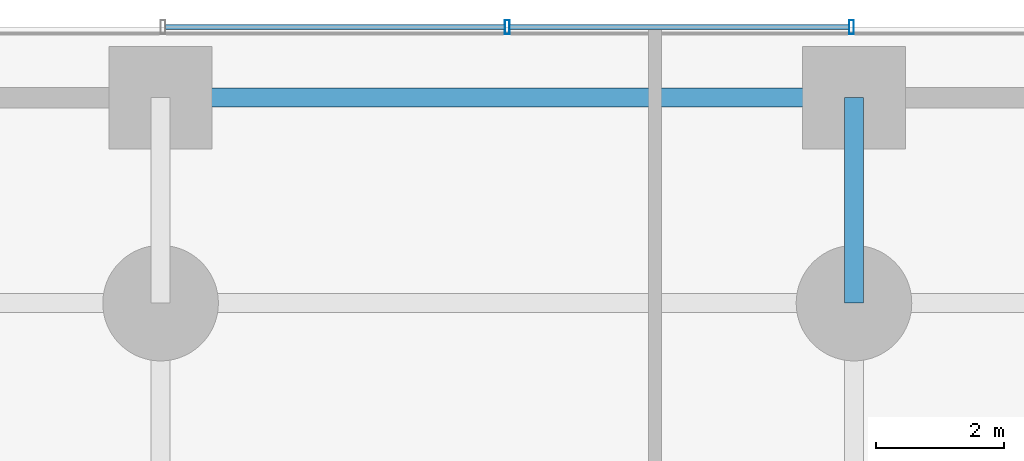
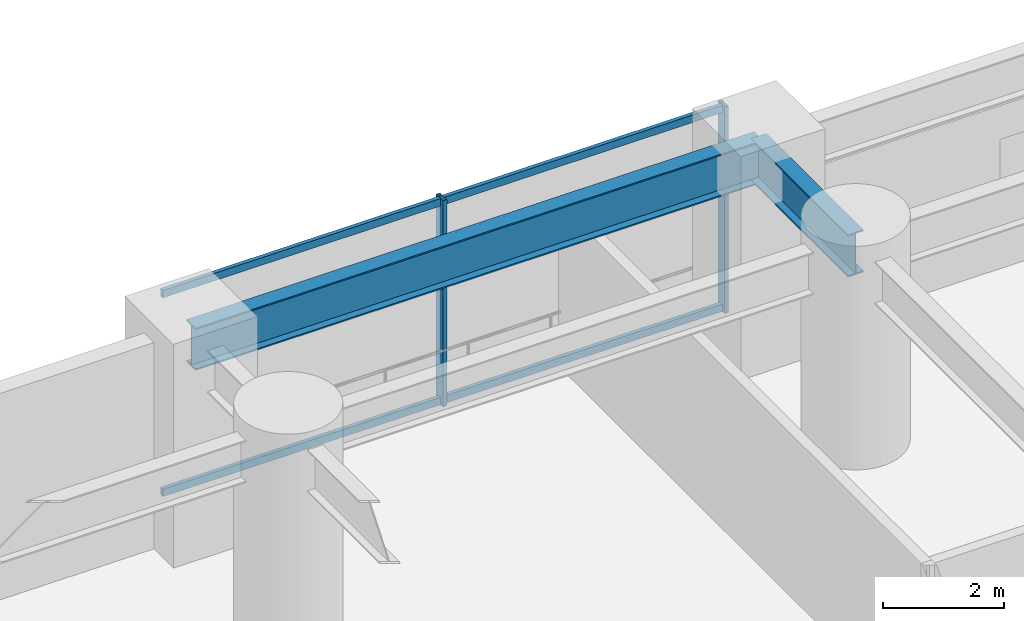
# One storey, part 15 of 35: 6 members, 2 beams, 1 element without a shape of its own.
"""IFC4 building model written with IfcOpenShell, lengths in metres."""

import ifcopenshell
import ifcopenshell.guid

model = None  # the IFC model being written
_history = None  # IfcOwnerHistory: only IFC2X3 demands one
_inside = {}  # id of a spatial element -> (the spatial element, [elements in it])
_under = {}  # id of a project, library or spatial element -> (it, [spatial elements below it])
_declared = {}  # id of a project -> (the project, [libraries it declares])
_typed = {}  # id of a type object -> (the type object, [elements of that type])
_made_of = {}  # id of a material, layer set ... -> (it, [elements and type objects made of it])


def new_model(schema):
    """Start an empty IFC model of exactly this schema.

    Asked for "IFC4X3", IfcOpenShell would pick the latest addendum, in which some entities
    have other attributes; the version numbers below select the first issue.
    IFC2X3 requires an IfcOwnerHistory on every rooted entity: one is made here for all.
    """
    global model, _history
    if schema == "IFC4X3":
        model = ifcopenshell.file(schema_version=(4, 3, 0, 0))
    else:
        model = ifcopenshell.file(schema=schema)
    _inside.clear()
    _under.clear()
    _declared.clear()
    _typed.clear()
    _made_of.clear()
    _history = None
    if model.schema == "IFC2X3":
        org = make("IfcOrganization", Name="unknown")
        user = make(
            "IfcPersonAndOrganization",
            ThePerson=make("IfcPerson", FamilyName="unknown"),
            TheOrganization=org,
        )
        app = make(
            "IfcApplication",
            ApplicationDeveloper=org,
            Version="unknown",
            ApplicationFullName="unknown",
            ApplicationIdentifier="unknown",
        )
        _history = make(
            "IfcOwnerHistory",
            OwningUser=user,
            OwningApplication=app,
            ChangeAction="ADDED",
            CreationDate=0,
        )
    return model


def make(cls, **values):
    """One entity of the class cls with the attributes given. An attribute that is None is left unset."""
    return model.create_entity(
        cls, **{name: value for name, value in values.items() if value is not None}
    )


def rooted(cls, **values):
    """An entity with a GlobalId (a new one), such as an element, a storey or a relation."""
    return make(cls, GlobalId=ifcopenshell.guid.new(), OwnerHistory=_history, **values)


def si_unit(unit_type, name, prefix=None):
    """IfcSIUnit, for example si_unit("LENGTHUNIT", "METRE", prefix="MILLI")."""
    return make("IfcSIUnit", UnitType=unit_type, Prefix=prefix, Name=name)


def assignment(units):
    """IfcUnitAssignment: the units of a project."""
    return None if units is None else make("IfcUnitAssignment", Units=units)


def point(xyz):
    """IfcCartesianPoint."""
    return None if xyz is None else make("IfcCartesianPoint", Coordinates=xyz)


def direction(xyz):
    """IfcDirection."""
    return None if xyz is None else make("IfcDirection", DirectionRatios=xyz)


def frame(location, z_axis=None, x_axis=None):
    """IfcAxis2Placement3D, a coordinate frame: its origin and axes. An axis left out is left unset."""
    return make(
        "IfcAxis2Placement3D",
        Location=point(location),
        Axis=direction(z_axis),
        RefDirection=direction(x_axis),
    )


def frame_2d(location, x_axis=None):
    """IfcAxis2Placement2D, a coordinate frame in the plane: its origin and x axis."""
    return make(
        "IfcAxis2Placement2D", Location=point(location), RefDirection=direction(x_axis)
    )


def origin():
    """The frame at (0, 0, 0) with its axes left unset."""
    return frame((0.0, 0.0, 0.0))


def origin_2d():
    """The frame at (0, 0) in the plane with its x axis left unset."""
    return frame_2d((0.0, 0.0))


def place(relative_to, where):
    """IfcLocalPlacement: puts the frame where relative to a parent placement (None: the world)."""
    return make(
        "IfcLocalPlacement", PlacementRelTo=relative_to, RelativePlacement=where
    )


def context(
    kind, dimensions, precision=None, world=None, true_north=None, identifier=None
):
    """IfcGeometricRepresentationContext, for example the 3D "Model" context."""
    return make(
        "IfcGeometricRepresentationContext",
        ContextIdentifier=identifier,
        ContextType=kind,
        CoordinateSpaceDimension=dimensions,
        Precision=precision,
        WorldCoordinateSystem=world,
        TrueNorth=true_north,
    )


def subcontext(parent, identifier, kind, view, scale=None):
    """IfcGeometricRepresentationSubContext, for example "Body" below "Model"."""
    return make(
        "IfcGeometricRepresentationSubContext",
        ContextIdentifier=identifier,
        ContextType=kind,
        ParentContext=parent,
        TargetScale=scale,
        TargetView=view,
    )


def project(units=None, contexts=None):
    """IfcProject with its units and contexts."""
    return rooted(
        "IfcProject",
        Name="project",
        RepresentationContexts=contexts,
        UnitsInContext=assignment(units),
    )


def spatial(cls, under=None, at=None, **own):
    """A site, building, storey or space (cls), placed at a placement, below another one or the project."""
    s = rooted(cls, ObjectPlacement=at, **own)
    if under is not None:
        _under.setdefault(under.id(), (under, []))[1].append(s)
    return s


def profile(cls, at=None, kind="AREA", **sizes):
    """A parametric profile (cls). Its sizes go by their IFC names, for example OverallWidth=200.0."""
    return make(cls, ProfileType=kind, Position=at, **sizes)


def hollow_rectangle(**sizes):
    """IfcRectangleHollowProfileDef."""
    return profile("IfcRectangleHollowProfileDef", **sizes)


def i_section(**sizes):
    """IfcIShapeProfileDef."""
    return profile("IfcIShapeProfileDef", **sizes)


def extrude(swept, where, along, depth):
    """IfcExtrudedAreaSolid: the profile swept, set in the frame where, extruded along a direction by depth."""
    return make(
        "IfcExtrudedAreaSolid",
        SweptArea=swept,
        Position=where,
        ExtrudedDirection=direction(along),
        Depth=depth,
    )


def shape(context_of_items, identifier, shape_type, items):
    """IfcShapeRepresentation: the items that make up one representation, for example the "Body"."""
    return make(
        "IfcShapeRepresentation",
        ContextOfItems=context_of_items,
        RepresentationIdentifier=identifier,
        RepresentationType=shape_type,
        Items=items,
    )


def material(Name=None, Category=None):
    """IfcMaterial."""
    return make("IfcMaterial", Name=Name, Category=Category)


def layer(
    of_material, thickness, ventilated=None, Name=None, Category=None, Priority=None
):
    """IfcMaterialLayer: one layer of a wall or slab, of a material (None: an air gap)."""
    return make(
        "IfcMaterialLayer",
        Material=of_material,
        LayerThickness=thickness,
        IsVentilated=ventilated,
        Name=Name,
        Category=Category,
        Priority=Priority,
    )


def layer_set(layers, Name=None):
    """IfcMaterialLayerSet."""
    return make("IfcMaterialLayerSet", MaterialLayers=layers, LayerSetName=Name)


def material_profile(
    of_material, cross_section, Name=None, Category=None, Priority=None
):
    """IfcMaterialProfile: a cross section and its material."""
    return make(
        "IfcMaterialProfile",
        Name=Name,
        Material=of_material,
        Profile=cross_section,
        Priority=Priority,
        Category=Category,
    )


def profile_set(profiles, Name=None, composite=None):
    """IfcMaterialProfileSet."""
    return make(
        "IfcMaterialProfileSet",
        Name=Name,
        MaterialProfiles=profiles,
        CompositeProfile=composite,
    )


def made_of(thing, what):
    """Note that an element or type object is made of a material, layer set ...; save() writes the relation."""
    if what is not None:
        _made_of.setdefault(what.id(), (what, []))[1].append(thing)
    return thing


def type_object(cls, material=None, **own):
    """A type object (cls), such as IfcWallType, which elements share."""
    return made_of(rooted(cls, **own), material)


def element(
    cls,
    number,
    at=None,
    inside=None,
    cuts=None,
    type_object=None,
    material=None,
    context=None,
    identifier="Body",
    shape_type=None,
    held_by="IfcProductDefinitionShape",
    body=None,
    shapes=None,
    **own,
):
    """One element of the class cls, such as IfcWall. Its Tag is "e" and its number.

    at: its placement. inside: the storey or other place that contains it. cuts: it is an
    opening in that element (IfcRelVoidsElement). A single representation is given by context,
    identifier, shape_type and body (its items); several are given by shapes. held_by: the class
    of the entity that holds the representations. save() writes the other relations.
    """
    e = rooted(cls, Tag="e%d" % number, ObjectPlacement=at, **own)
    if body is not None:
        shapes = [shape(context, identifier, shape_type, body)]
    if shapes is not None:
        e.Representation = make(held_by, Representations=shapes)
    if inside is not None:
        _inside.setdefault(inside.id(), (inside, []))[1].append(e)
    if cuts is not None:
        rooted(
            "IfcRelVoidsElement", RelatingBuildingElement=cuts, RelatedOpeningElement=e
        )
    if type_object is not None:
        _typed.setdefault(type_object.id(), (type_object, []))[1].append(e)
    return made_of(e, material)


def aggregate(whole, parts):
    """IfcRelAggregates: a whole, such as a stair, and the parts it consists of."""
    return rooted("IfcRelAggregates", RelatingObject=whole, RelatedObjects=parts)


def save(model, path):
    """Write the relations noted so far, then the file.

    IfcRelAggregates (storeys below a building ...), IfcRelContainedInSpatialStructure (elements
    in a storey), IfcRelDefinesByType, IfcRelAssociatesMaterial and IfcRelDeclares: one each for
    every whole, place, type object, material and project.
    """
    for whole, parts in _under.values():
        aggregate(whole, parts)
    for where, things in _inside.values():
        rooted(
            "IfcRelContainedInSpatialStructure",
            RelatedElements=things,
            RelatingStructure=where,
        )
    for kind, things in _typed.values():
        rooted("IfcRelDefinesByType", RelatedObjects=things, RelatingType=kind)
    for what, things in _made_of.values():
        rooted("IfcRelAssociatesMaterial", RelatedObjects=things, RelatingMaterial=what)
    for by, libraries in _declared.values():
        rooted("IfcRelDeclares", RelatingContext=by, RelatedDefinitions=libraries)
    model.write(path)


model = new_model("IFC4")

# Units and contexts
model_context = context("Model", 3, precision=1e-05, world=origin(), true_north=direction((0.0, 1.0)))
body_context = subcontext(model_context, "Body", "Model", "MODEL_VIEW")
ifc_project = project(units=[si_unit("LENGTHUNIT", "METRE"), si_unit("AREAUNIT", "SQUARE_METRE"), si_unit("VOLUMEUNIT", "CUBIC_METRE"), si_unit("PLANEANGLEUNIT", "RADIAN"), si_unit("MASSUNIT", "GRAM", prefix="KILO")], contexts=[model_context])

# Site, building, storey
site_placement = place(None, origin())
site = spatial("IfcSite", under=ifc_project, at=site_placement, CompositionType="ELEMENT")
building_placement = place(site_placement, origin())
building = spatial("IfcBuilding", under=site, at=building_placement, Name="Surkhivell Harbour Commons", CompositionType="ELEMENT")
storey_placement = place(building_placement, frame((0.0, 0.0, 13.5)))
storey = spatial("IfcBuildingStorey", under=building, at=storey_placement, Name="L03", CompositionType="ELEMENT", Elevation=13.5)

# Beams
ifc_material_1 = material(Name="Steel S460", Category="steel")
ifc_material_profile_1 = material_profile(ifc_material_1, i_section(OverallWidth=0.2939453125, OverallDepth=0.85107421875, WebThickness=0.01611328125, FlangeThickness=0.02685546875, at=origin_2d()), Name="UB838x292x226")
ifc_profile_set_1 = profile_set([ifc_material_profile_1], Name="Steel S460")
beam_type = type_object("IfcBeamType", Name="BM-SPN-838", PredefinedType="SPANDREL", material=ifc_profile_set_1)
beam_1_placement = place(storey_placement, frame((-21.60009765625, 24.800048828125, 3.724609375), z_axis=(1.0, 0.0, 0.0), x_axis=(0.0, 1.0, 0.0)))
element("IfcBeam", 1, at=beam_1_placement, inside=storey, type_object=beam_type, Name="L03 Framing Beam (-21.6,24.8)", PredefinedType="SPANDREL", context=body_context, shape_type="SweptSolid", body=[
    extrude(i_section(OverallWidth=0.2939453125, OverallDepth=0.85107421875, WebThickness=0.01611328125, FlangeThickness=0.02685546875, at=origin_2d()), origin(), (0.0, 0.0, 1.0), 10.800048828125),
])
beam_2_placement = place(storey_placement, frame((-10.800048828125, 21.60009765625, 3.724609375), z_axis=(0.0, 1.0, 0.0), x_axis=(-1.0, 0.0, 0.0)))
element("IfcBeam", 2, at=beam_2_placement, inside=storey, type_object=beam_type, Name="L03 Framing Beam (-10.8,21.6)", PredefinedType="SPANDREL", context=body_context, shape_type="SweptSolid", body=[
    extrude(i_section(OverallWidth=0.2939453125, OverallDepth=0.85107421875, WebThickness=0.01611328125, FlangeThickness=0.02685546875, at=origin_2d()), origin(), (0.0, 0.0, 1.0), 3.199951171875),
])

# Curtain wall, members
ifc_material_2 = material(Name="Anodised pale-metal aluminium and insulated glazing", Category="aluminium")
ifc_layer = layer(ifc_material_2, 0.239990234375)
ifc_layer_set = layer_set([ifc_layer], Name="Anodised pale-metal aluminium and insulated glazing")
curtain_wall_type = type_object("IfcCurtainWallType", Name="CW-SYS-POD", PredefinedType="NOTDEFINED", material=ifc_layer_set)
curtain_wall_placement = place(storey_placement, origin())
curtain_wall = element("IfcCurtainWall", 3, at=curtain_wall_placement, inside=storey, type_object=curtain_wall_type, Name="L03 Curtain Wall CW-L03-N3", PredefinedType="NOTDEFINED")
ifc_material_3 = material(Name="Anodised pale-metal aluminium alloy 6063-T6", Category="aluminium")
ifc_material_profile_2 = material_profile(ifc_material_3, hollow_rectangle(XDim=0.074951171875, YDim=0.219970703125, WallThickness=0.00390625, at=origin_2d()), Name="ALU-MULL-75x220")
ifc_profile_set_2 = profile_set([ifc_material_profile_2], Name="Anodised pale-metal aluminium alloy 6063-T6")
member_type_1 = type_object("IfcMemberType", Name="CWM-220", PredefinedType="MULLION", material=ifc_profile_set_2)
member_1_placement = place(storey_placement, frame((-16.199951171875, 25.89990234375, 0.0), z_axis=(0.0, 0.0, 1.0), x_axis=(1.0, 0.0, 0.0)))
member_1 = element("IfcMember", 4, at=member_1_placement, type_object=member_type_1, Name="CW-POD mullion 2", PredefinedType="MULLION", context=body_context, shape_type="SweptSolid", body=[
    extrude(hollow_rectangle(XDim=0.074951171875, YDim=0.219970703125, WallThickness=0.00390625, at=origin_2d()), origin(), (0.0, 0.0, 1.0), 4.14990234375),
])
member_2_placement = place(storey_placement, frame((-10.83740234375, 25.89990234375, 0.0), z_axis=(0.0, 0.0, 1.0), x_axis=(1.0, 0.0, 0.0)))
member_2 = element("IfcMember", 5, at=member_2_placement, type_object=member_type_1, Name="CW-POD mullion 3", PredefinedType="MULLION", context=body_context, shape_type="SweptSolid", body=[
    extrude(hollow_rectangle(XDim=0.074951171875, YDim=0.219970703125, WallThickness=0.00390625, at=origin_2d()), origin(), (0.0, 0.0, 1.0), 4.14990234375),
])
ifc_material_profile_3 = material_profile(ifc_material_3, hollow_rectangle(XDim=0.074951171875, YDim=0.14990234375, WallThickness=0.00341796875, at=origin_2d()), Name="ALU-TRAN-75x150")
ifc_profile_set_3 = profile_set([ifc_material_profile_3], Name="Anodised pale-metal aluminium alloy 6063-T6")
member_type_2 = type_object("IfcMemberType", Name="CWT-150", PredefinedType="USERDEFINED", material=ifc_profile_set_3)
member_3_placement = place(storey_placement, frame((-21.52490234375, 25.89990234375, 0.074951171875), z_axis=(1.0, 0.0, 0.0), x_axis=(0.0, 1.0, 0.0)))
member_3 = element("IfcMember", 6, at=member_3_placement, type_object=member_type_2, Name="CW-POD transom 1.1", ObjectType="TRANSOM", PredefinedType="USERDEFINED", context=body_context, shape_type="SweptSolid", body=[
    extrude(hollow_rectangle(XDim=0.074951171875, YDim=0.14990234375, WallThickness=0.00341796875, at=origin_2d()), origin(), (0.0, 0.0, 1.0), 5.287353515625),
])
member_4_placement = place(storey_placement, frame((-21.52490234375, 25.89990234375, 4.074951171875), z_axis=(1.0, 0.0, 0.0), x_axis=(0.0, 1.0, 0.0)))
member_4 = element("IfcMember", 7, at=member_4_placement, type_object=member_type_2, Name="CW-POD transom 1.2", ObjectType="TRANSOM", PredefinedType="USERDEFINED", context=body_context, shape_type="SweptSolid", body=[
    extrude(hollow_rectangle(XDim=0.074951171875, YDim=0.14990234375, WallThickness=0.00341796875, at=origin_2d()), origin(), (0.0, 0.0, 1.0), 5.287353515625),
])
member_5_placement = place(storey_placement, frame((-16.16259765625, 25.89990234375, 0.074951171875), z_axis=(1.0, 0.0, 0.0), x_axis=(0.0, 1.0, 0.0)))
member_5 = element("IfcMember", 8, at=member_5_placement, type_object=member_type_2, Name="CW-POD transom 2.1", ObjectType="TRANSOM", PredefinedType="USERDEFINED", context=body_context, shape_type="SweptSolid", body=[
    extrude(hollow_rectangle(XDim=0.074951171875, YDim=0.14990234375, WallThickness=0.00341796875, at=origin_2d()), origin(), (0.0, 0.0, 1.0), 5.28759765625),
])
member_6_placement = place(storey_placement, frame((-16.16259765625, 25.89990234375, 4.074951171875), z_axis=(1.0, 0.0, 0.0), x_axis=(0.0, 1.0, 0.0)))
member_6 = element("IfcMember", 9, at=member_6_placement, type_object=member_type_2, Name="CW-POD transom 2.2", ObjectType="TRANSOM", PredefinedType="USERDEFINED", context=body_context, shape_type="SweptSolid", body=[
    extrude(hollow_rectangle(XDim=0.074951171875, YDim=0.14990234375, WallThickness=0.00341796875, at=origin_2d()), origin(), (0.0, 0.0, 1.0), 5.28759765625),
])
aggregate(curtain_wall, [member_1, member_2, member_3, member_4, member_5, member_6])

save(model, "model.ifc")
